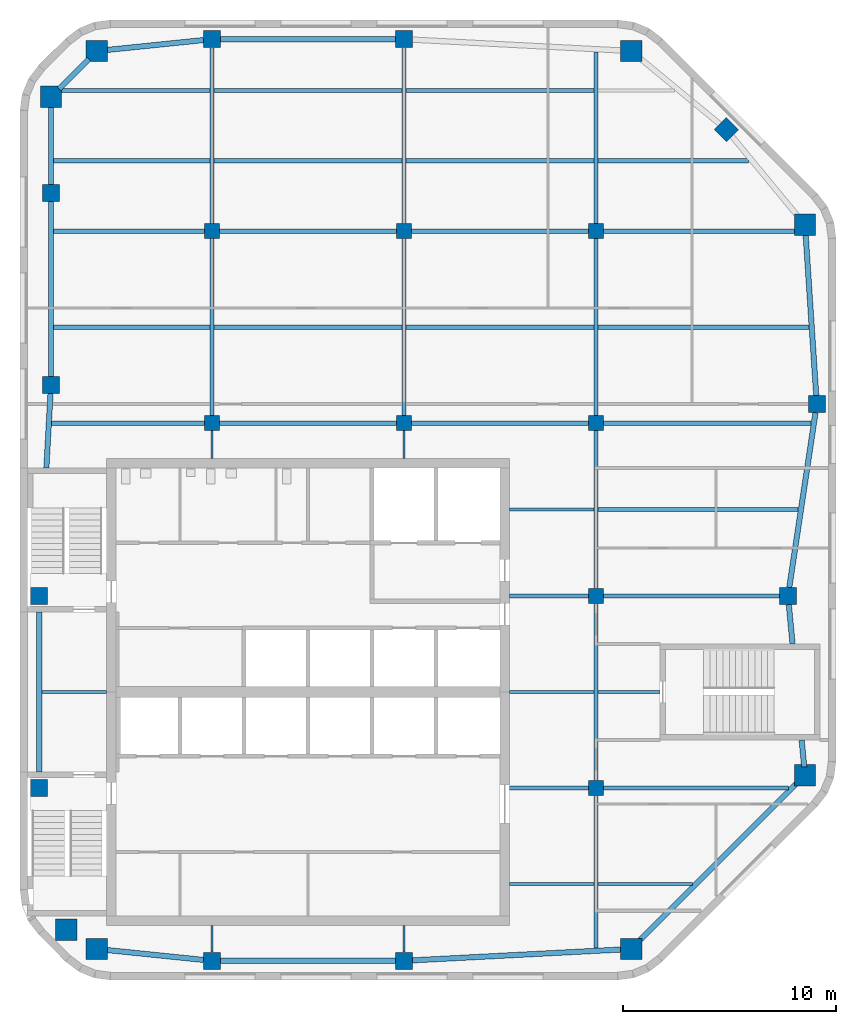
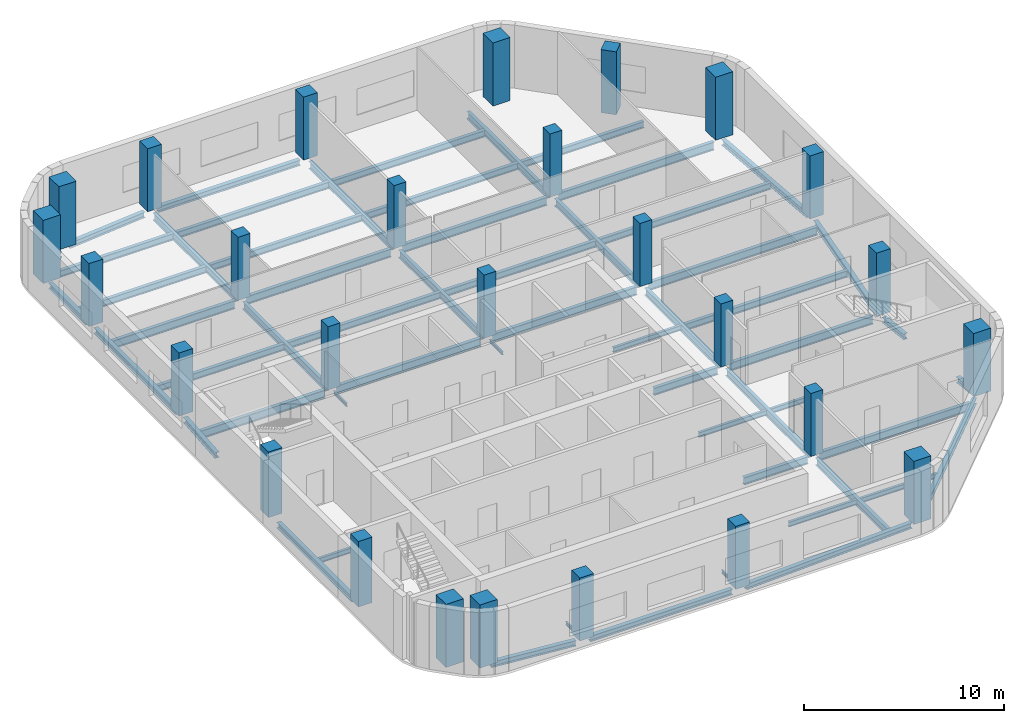
# One storey, part 1 of 7: 58 beams, 27 columns.
"""IFC4 building model written with IfcOpenShell, lengths in metres."""

from ifc_helpers import new_model, si_unit, direction, frame, origin, origin_2d, place, context, subcontext, project, spatial, rectangle, i_section, extrude, material, material_profile, profile_set, type_object, element, save


model = new_model("IFC4")

# Units and contexts
model_context = context("Model", 3, precision=1e-05, world=origin(), true_north=direction((0.0, 1.0)))
body_context = subcontext(model_context, "Body", "Model", "MODEL_VIEW")
ifc_project = project(units=[si_unit("LENGTHUNIT", "METRE"), si_unit("AREAUNIT", "SQUARE_METRE"), si_unit("VOLUMEUNIT", "CUBIC_METRE"), si_unit("PLANEANGLEUNIT", "RADIAN"), si_unit("MASSUNIT", "GRAM", prefix="KILO")], contexts=[model_context])

# Site, building, storey
site_placement = place(None, origin())
site = spatial("IfcSite", under=ifc_project, at=site_placement, CompositionType="ELEMENT")
building_placement = place(site_placement, origin())
building = spatial("IfcBuilding", under=site, at=building_placement, Name="Cinnabar Reach Civic Tower", CompositionType="ELEMENT")
storey_placement = place(building_placement, frame((0.0, 0.0, 267.0)))
storey = spatial("IfcBuildingStorey", under=building, at=storey_placement, Name="L64", CompositionType="ELEMENT", Elevation=267.0)

# Columns
ifc_material_1 = material(Name="Concrete C70", Category="concrete")
ifc_material_profile_1 = material_profile(ifc_material_1, rectangle(XDim=1.0, YDim=1.0, at=origin_2d()), Name="RC1000")
ifc_profile_set_1 = profile_set([ifc_material_profile_1], Name="Concrete C70")
column_type_1 = type_object("IfcColumnType", Name="RC1000 column R 240", PredefinedType="COLUMN", material=ifc_profile_set_1)
for number, where, z_axis, x_axis, name in (
    (1, (3.6019, 19.4531, 0.0), (0.0, 0.0, 1.0), (1.0, 0.0, 0.0), "Column T1-Z5-CC0"),
    (2, (28.6481, 19.4531, 0.0), (0.0, 0.0, 1.0), (1.0, 0.0, 0.0), "Column T1-Z5-CC1"),
    (3, (36.7969, 27.6019, 0.0), (0.0, 0.0, 1.0), (1.0, 0.0, 0.0), "Column T1-Z5-CC2"),
    (4, (36.7969, 53.3981, 0.0), (0.0, 0.0, 1.0), (1.0, 0.0, 0.0), "Column T1-Z5-CC3"),
    (5, (28.6481, 61.5469, 0.0), (0.0, 0.0, 1.0), (1.0, 0.0, 0.0), "Column T1-Z5-CC4"),
    (6, (3.6019, 61.5469, 0.0), (0.0, 0.0, 1.0), (1.0, 0.0, 0.0), "Column T1-Z5-CC5"),
    (7, (1.4531, 59.3981, 0.0), (0.0, 0.0, 1.0), (1.0, 0.0, 0.0), "Column T1-Z5-CC6"),
    (8, (2.1631, 20.35, 0.0), (0.0, 0.0, 1.0), (1.0, 0.0, 0.0), "Column T1-Z5-CC7"),
):
    element("IfcColumn", number, at=place(storey_placement, frame(where, z_axis=z_axis, x_axis=x_axis)), inside=storey, type_object=column_type_1, Name=name, PredefinedType="COLUMN", context=body_context, shape_type="SweptSolid", body=[
        extrude(rectangle(XDim=1.0, YDim=1.0, at=origin_2d()), origin(), (0.0, 0.0, 1.0), 3.85),
    ])
ifc_material_2 = material(Name="Concrete C60", Category="concrete")
ifc_material_profile_2 = material_profile(ifc_material_2, rectangle(XDim=0.7, YDim=0.7, at=origin_2d()), Name="RC700")
ifc_profile_set_2 = profile_set([ifc_material_profile_2], Name="Concrete C60")
column_type_2 = type_object("IfcColumnType", Name="RC700 column R 240", PredefinedType="COLUMN", material=ifc_profile_set_2)
for number, where, z_axis, x_axis, name in (
    (9, (9.0, 44.1, 0.0), (0.0, 0.0, 1.0), (1.0, 0.0, 0.0), "Column T1-Z5-I9_45"),
    (10, (9.0, 53.1, 0.0), (0.0, 0.0, 1.0), (1.0, 0.0, 0.0), "Column T1-Z5-I9_54"),
    (11, (18.0, 44.1, 0.0), (0.0, 0.0, 1.0), (1.0, 0.0, 0.0), "Column T1-Z5-I18_45"),
    (12, (18.0, 53.1, 0.0), (0.0, 0.0, 1.0), (1.0, 0.0, 0.0), "Column T1-Z5-I18_54"),
    (13, (27.0, 27.0, 0.0), (0.0, 0.0, 1.0), (1.0, 0.0, 0.0), "Column T1-Z5-I27_27"),
    (14, (27.0, 36.0, 0.0), (0.0, 0.0, 1.0), (1.0, 0.0, 0.0), "Column T1-Z5-I27_36"),
    (15, (27.0, 44.1, 0.0), (0.0, 0.0, 1.0), (1.0, 0.0, 0.0), "Column T1-Z5-I27_45"),
    (16, (27.0, 53.1, 0.0), (0.0, 0.0, 1.0), (1.0, 0.0, 0.0), "Column T1-Z5-I27_54"),
):
    element("IfcColumn", number, at=place(storey_placement, frame(where, z_axis=z_axis, x_axis=x_axis)), inside=storey, type_object=column_type_2, Name=name, PredefinedType="COLUMN", context=body_context, shape_type="SweptSolid", body=[
        extrude(rectangle(XDim=0.7, YDim=0.7, at=origin_2d()), origin(), (0.0, 0.0, 1.0), 3.85),
    ])
ifc_material_profile_3 = material_profile(ifc_material_2, rectangle(XDim=0.8, YDim=0.8, at=origin_2d()), Name="RC800")
ifc_profile_set_3 = profile_set([ifc_material_profile_3], Name="Concrete C60")
column_type_3 = type_object("IfcColumnType", Name="RC800 column R 240", PredefinedType="COLUMN", material=ifc_profile_set_3)
for number, where, z_axis, x_axis, name in (
    (17, (9.0, 18.9, 0.0), (0.0, 0.0, 1.0), (1.0, 0.0, 0.0), "Column T1-Z5-F0-1"),
    (18, (18.0, 18.9, 0.0), (0.0, 0.0, 1.0), (1.0, 0.0, 0.0), "Column T1-Z5-F0-2"),
    (19, (36.0, 36.0, 0.0), (0.0, 0.0, 1.0), (1.0, 0.0, 0.0), "Column T1-Z5-F2-4"),
    (20, (37.35, 45.0, 0.0), (0.0, 0.0, 1.0), (1.0, 0.0, 0.0), "Column T1-Z5-F2-5"),
    (21, (33.1136, 57.8636, 0.0), (0.0, 0.0, 1.0), (0.707106781187, 0.707106781187, 0.0), "Column T1-Z5-F3-M"),
    (22, (9.0, 62.1, 0.0), (0.0, 0.0, 1.0), (1.0, 0.0, 0.0), "Column T1-Z5-F4-1"),
    (23, (18.0, 62.1, 0.0), (0.0, 0.0, 1.0), (1.0, 0.0, 0.0), "Column T1-Z5-F4-2"),
):
    element("IfcColumn", number, at=place(storey_placement, frame(where, z_axis=z_axis, x_axis=x_axis)), inside=storey, type_object=column_type_3, Name=name, PredefinedType="COLUMN", context=body_context, shape_type="SweptSolid", body=[
        extrude(rectangle(XDim=0.8, YDim=0.8, at=origin_2d()), origin(), (0.0, 0.0, 1.0), 3.85),
    ])
for number, where, z_axis, x_axis, name in (
    (24, (0.9, 27.0, 0.0), (0.0, 0.0, 1.0), (1.0, 0.0, 0.0), "Column T1-Z5-F6-3"),
    (25, (0.9, 36.0, 0.0), (0.0, 0.0, 1.0), (1.0, 0.0, 0.0), "Column T1-Z5-F6-4"),
):
    element("IfcColumn", number, at=place(storey_placement, frame(where, z_axis=z_axis, x_axis=x_axis)), inside=storey, type_object=column_type_3, Name=name, PredefinedType="COLUMN", context=body_context, shape_type="SweptSolid", body=[
        extrude(rectangle(XDim=0.8, YDim=0.8, at=origin_2d()), origin(), (0.0, 0.0, 1.0), 4.0),
    ])
for number, where, z_axis, x_axis, name in (
    (26, (1.4531, 45.8981, 0.0), (0.0, 0.0, 1.0), (1.0, 0.0, 0.0), "Column T1-Z5-F6-5"),
    (27, (1.4531, 54.8981, 0.0), (0.0, 0.0, 1.0), (1.0, 0.0, 0.0), "Column T1-Z5-F6-6"),
):
    element("IfcColumn", number, at=place(storey_placement, frame(where, z_axis=z_axis, x_axis=x_axis)), inside=storey, type_object=column_type_3, Name=name, PredefinedType="COLUMN", context=body_context, shape_type="SweptSolid", body=[
        extrude(rectangle(XDim=0.8, YDim=0.8, at=origin_2d()), origin(), (0.0, 0.0, 1.0), 3.85),
    ])

# Beams
ifc_material_3 = material(Name="Steel Q355B", Category="steel")
ifc_material_profile_4 = material_profile(ifc_material_3, i_section(OverallWidth=0.25, OverallDepth=0.34, WebThickness=0.009, FlangeThickness=0.014, FilletRadius=0.013, at=origin_2d()), Name="HM340x250x9x14")
ifc_profile_set_4 = profile_set([ifc_material_profile_4], Name="Steel Q355B")
beam_type_1 = type_object("IfcBeamType", Name="HM340x250x9x14 beam R 180", PredefinedType="BEAM", material=ifc_profile_set_4)
beam_1_placement = place(storey_placement, frame((3.9839, 19.414, -0.32), z_axis=(0.994791084875, -0.101934770579, 0.0), x_axis=(0.101934770579, 0.994791084875, 0.0)))
element("IfcBeam", 28, at=beam_1_placement, inside=storey, type_object=beam_type_1, Name="Edge beam T1 L64 1", PredefinedType="BEAM", context=body_context, shape_type="SweptSolid", body=[
    extrude(i_section(OverallWidth=0.25, OverallDepth=0.34, WebThickness=0.009, FlangeThickness=0.014, FilletRadius=0.013, at=origin_2d()), origin(), (0.0, 0.0, 1.0), 4.6383),
])
beam_2_placement = place(storey_placement, frame((9.402, 18.9, -0.32), z_axis=(1.0, 0.0, 0.0), x_axis=(0.0, 1.0, 0.0)))
element("IfcBeam", 29, at=beam_2_placement, inside=storey, type_object=beam_type_1, Name="Edge beam T1 L64 2", PredefinedType="BEAM", context=body_context, shape_type="SweptSolid", body=[
    extrude(i_section(OverallWidth=0.25, OverallDepth=0.34, WebThickness=0.009, FlangeThickness=0.014, FilletRadius=0.013, at=origin_2d()), origin(), (0.0, 0.0, 1.0), 8.196),
])
beam_3_placement = place(storey_placement, frame((18.402, 18.9209, -0.32), z_axis=(0.998653533726, 0.051876001934, 0.0), x_axis=(-0.051876001934, 0.998653533726, 0.0)))
element("IfcBeam", 30, at=beam_3_placement, inside=storey, type_object=beam_type_1, Name="Edge beam T1 L64 3", PredefinedType="BEAM", context=body_context, shape_type="SweptSolid", body=[
    extrude(i_section(OverallWidth=0.25, OverallDepth=0.34, WebThickness=0.009, FlangeThickness=0.014, FilletRadius=0.013, at=origin_2d()), origin(), (0.0, 0.0, 1.0), 9.8774),
])
beam_4_placement = place(storey_placement, frame((29.0301, 19.8351, -0.32), z_axis=(0.707106781187, 0.707106781187, 0.0), x_axis=(-0.707106781187, 0.707106781187, 0.0)))
element("IfcBeam", 31, at=beam_4_placement, inside=storey, type_object=beam_type_1, Name="Edge beam T1 L64 4", PredefinedType="BEAM", context=body_context, shape_type="SweptSolid", body=[
    extrude(i_section(OverallWidth=0.25, OverallDepth=0.34, WebThickness=0.009, FlangeThickness=0.014, FilletRadius=0.013, at=origin_2d()), origin(), (0.0, 0.0, 1.0), 10.4437),
])
beam_5_placement = place(storey_placement, frame((36.7607, 27.9839, -0.32), z_axis=(-0.094504338241, 0.995524449752, 0.0), x_axis=(-0.995524449752, -0.094504338241, 0.0)))
element("IfcBeam", 32, at=beam_5_placement, inside=storey, type_object=beam_type_1, Name="Edge beam T1 L64 5", PredefinedType="BEAM", context=body_context, shape_type="SweptSolid", body=[
    extrude(i_section(OverallWidth=0.25, OverallDepth=0.34, WebThickness=0.009, FlangeThickness=0.014, FilletRadius=0.013, at=origin_2d()), origin(), (0.0, 0.0, 1.0), 1.2698),
])
beam_6_placement = place(storey_placement, frame((36.2133, 33.752, -0.32), z_axis=(-0.094483333102, 0.995526443529, 0.0), x_axis=(-0.995526443529, -0.094483333102, 0.0)))
element("IfcBeam", 33, at=beam_6_placement, inside=storey, type_object=beam_type_1, Name="Edge beam T1 L64 6", PredefinedType="BEAM", context=body_context, shape_type="SweptSolid", body=[
    extrude(i_section(OverallWidth=0.25, OverallDepth=0.34, WebThickness=0.009, FlangeThickness=0.014, FilletRadius=0.013, at=origin_2d()), origin(), (0.0, 0.0, 1.0), 1.8543),
])
beam_7_placement = place(storey_placement, frame((36.0603, 36.402, -0.32), z_axis=(0.14834045293, 0.988936352868, 0.0), x_axis=(-0.988936352868, 0.14834045293, 0.0)))
element("IfcBeam", 34, at=beam_7_placement, inside=storey, type_object=beam_type_1, Name="Edge beam T1 L64 7", PredefinedType="BEAM", context=body_context, shape_type="SweptSolid", body=[
    extrude(i_section(OverallWidth=0.25, OverallDepth=0.34, WebThickness=0.009, FlangeThickness=0.014, FilletRadius=0.013, at=origin_2d()), origin(), (0.0, 0.0, 1.0), 8.2877),
])
beam_8_placement = place(storey_placement, frame((37.3235, 45.402, -0.32), z_axis=(-0.065709195057, 0.997838815483, 0.0), x_axis=(-0.997838815483, -0.065709195057, 0.0)))
element("IfcBeam", 35, at=beam_8_placement, inside=storey, type_object=beam_type_1, Name="Edge beam T1 L64 8", PredefinedType="BEAM", context=body_context, shape_type="SweptSolid", body=[
    extrude(i_section(OverallWidth=0.25, OverallDepth=0.34, WebThickness=0.009, FlangeThickness=0.014, FilletRadius=0.013, at=origin_2d()), origin(), (0.0, 0.0, 1.0), 7.6306),
])
beam_9_placement = place(storey_placement, frame((17.598, 62.1, -0.32), z_axis=(-1.0, 0.0, 0.0), x_axis=(0.0, -1.0, 0.0)))
element("IfcBeam", 36, at=beam_9_placement, inside=storey, type_object=beam_type_1, Name="Edge beam T1 L64 12", PredefinedType="BEAM", context=body_context, shape_type="SweptSolid", body=[
    extrude(i_section(OverallWidth=0.25, OverallDepth=0.34, WebThickness=0.009, FlangeThickness=0.014, FilletRadius=0.013, at=origin_2d()), origin(), (0.0, 0.0, 1.0), 8.196),
])
beam_10_placement = place(storey_placement, frame((8.598, 62.0588, -0.32), z_axis=(-0.994791084875, -0.101934770579, 0.0), x_axis=(0.101934770579, -0.994791084875, 0.0)))
element("IfcBeam", 37, at=beam_10_placement, inside=storey, type_object=beam_type_1, Name="Edge beam T1 L64 13", PredefinedType="BEAM", context=body_context, shape_type="SweptSolid", body=[
    extrude(i_section(OverallWidth=0.25, OverallDepth=0.34, WebThickness=0.009, FlangeThickness=0.014, FilletRadius=0.013, at=origin_2d()), origin(), (0.0, 0.0, 1.0), 4.6383),
])
beam_11_placement = place(storey_placement, frame((3.2199, 61.1649, -0.32), z_axis=(-0.707106781187, -0.707106781187, 0.0), x_axis=(0.707106781187, -0.707106781187, 0.0)))
element("IfcBeam", 38, at=beam_11_placement, inside=storey, type_object=beam_type_1, Name="Edge beam T1 L64 14", PredefinedType="BEAM", context=body_context, shape_type="SweptSolid", body=[
    extrude(i_section(OverallWidth=0.25, OverallDepth=0.34, WebThickness=0.009, FlangeThickness=0.014, FilletRadius=0.013, at=origin_2d()), origin(), (0.0, 0.0, 1.0), 1.9584),
])
beam_12_placement = place(storey_placement, frame((1.4531, 59.0161, -0.32), z_axis=(0.0, -1.0, 0.0), x_axis=(1.0, 0.0, 0.0)))
element("IfcBeam", 39, at=beam_12_placement, inside=storey, type_object=beam_type_1, Name="Edge beam T1 L64 15", PredefinedType="BEAM", context=body_context, shape_type="SweptSolid", body=[
    extrude(i_section(OverallWidth=0.25, OverallDepth=0.34, WebThickness=0.009, FlangeThickness=0.014, FilletRadius=0.013, at=origin_2d()), origin(), (0.0, 0.0, 1.0), 3.716),
])
beam_13_placement = place(storey_placement, frame((1.4531, 54.4961, -0.32), z_axis=(0.0, -1.0, 0.0), x_axis=(1.0, 0.0, 0.0)))
element("IfcBeam", 40, at=beam_13_placement, inside=storey, type_object=beam_type_1, Name="Edge beam T1 L64 16", PredefinedType="BEAM", context=body_context, shape_type="SweptSolid", body=[
    extrude(i_section(OverallWidth=0.25, OverallDepth=0.34, WebThickness=0.009, FlangeThickness=0.014, FilletRadius=0.013, at=origin_2d()), origin(), (0.0, 0.0, 1.0), 8.196),
])
beam_14_placement = place(storey_placement, frame((1.4306, 45.4961, -0.32), z_axis=(-0.055778628236, -0.998443160441, 0.0), x_axis=(0.998443160441, -0.055778628236, 0.0)))
element("IfcBeam", 41, at=beam_14_placement, inside=storey, type_object=beam_type_1, Name="Edge beam T1 L64 17", PredefinedType="BEAM", context=body_context, shape_type="SweptSolid", body=[
    extrude(i_section(OverallWidth=0.25, OverallDepth=0.34, WebThickness=0.009, FlangeThickness=0.014, FilletRadius=0.013, at=origin_2d()), origin(), (0.0, 0.0, 1.0), 3.4995),
])
beam_15_placement = place(storey_placement, frame((0.9, 35.248, -0.32), z_axis=(0.0, -1.0, 0.0), x_axis=(1.0, 0.0, 0.0)))
element("IfcBeam", 42, at=beam_15_placement, inside=storey, type_object=beam_type_1, Name="Edge beam T1 L64 18", PredefinedType="BEAM", context=body_context, shape_type="SweptSolid", body=[
    extrude(i_section(OverallWidth=0.25, OverallDepth=0.34, WebThickness=0.009, FlangeThickness=0.014, FilletRadius=0.013, at=origin_2d()), origin(), (0.0, 0.0, 1.0), 7.496),
])
ifc_material_profile_5 = material_profile(ifc_material_3, i_section(OverallWidth=0.099, OverallDepth=0.198, WebThickness=0.0045, FlangeThickness=0.007, FilletRadius=0.013, at=origin_2d()), Name="HN200x100x5.5x8")
ifc_profile_set_5 = profile_set([ifc_material_profile_5], Name="Steel Q355B")
beam_type_2 = type_object("IfcBeamType", Name="HN200x100x5.5x8 beam R 180", PredefinedType="BEAM", material=ifc_profile_set_5)
beam_16_placement = place(storey_placement, frame((9.0, 19.302, -0.249), z_axis=(0.0, 1.0, 0.0), x_axis=(-1.0, 0.0, 0.0)))
element("IfcBeam", 43, at=beam_16_placement, inside=storey, type_object=beam_type_2, Name="Girder T1 L64 1", PredefinedType="BEAM", context=body_context, shape_type="SweptSolid", body=[
    extrude(i_section(OverallWidth=0.099, OverallDepth=0.198, WebThickness=0.0045, FlangeThickness=0.007, FilletRadius=0.013, at=origin_2d()), origin(), (0.0, 0.0, 1.0), 1.246),
])
beam_17_placement = place(storey_placement, frame((9.0, 42.452, -0.249), z_axis=(0.0, 1.0, 0.0), x_axis=(-1.0, 0.0, 0.0)))
element("IfcBeam", 44, at=beam_17_placement, inside=storey, type_object=beam_type_2, Name="Girder T1 L64 2", PredefinedType="BEAM", context=body_context, shape_type="SweptSolid", body=[
    extrude(i_section(OverallWidth=0.099, OverallDepth=0.198, WebThickness=0.0045, FlangeThickness=0.007, FilletRadius=0.013, at=origin_2d()), origin(), (0.0, 0.0, 1.0), 1.296),
])
beam_18_placement = place(storey_placement, frame((18.0, 19.302, -0.249), z_axis=(0.0, 1.0, 0.0), x_axis=(-1.0, 0.0, 0.0)))
element("IfcBeam", 45, at=beam_18_placement, inside=storey, type_object=beam_type_2, Name="Girder T1 L64 5", PredefinedType="BEAM", context=body_context, shape_type="SweptSolid", body=[
    extrude(i_section(OverallWidth=0.099, OverallDepth=0.198, WebThickness=0.0045, FlangeThickness=0.007, FilletRadius=0.013, at=origin_2d()), origin(), (0.0, 0.0, 1.0), 1.246),
])
beam_19_placement = place(storey_placement, frame((18.0, 42.452, -0.249), z_axis=(0.0, 1.0, 0.0), x_axis=(-1.0, 0.0, 0.0)))
element("IfcBeam", 46, at=beam_19_placement, inside=storey, type_object=beam_type_2, Name="Girder T1 L64 6", PredefinedType="BEAM", context=body_context, shape_type="SweptSolid", body=[
    extrude(i_section(OverallWidth=0.099, OverallDepth=0.198, WebThickness=0.0045, FlangeThickness=0.007, FilletRadius=0.013, at=origin_2d()), origin(), (0.0, 0.0, 1.0), 1.296),
])
ifc_material_profile_6 = material_profile(ifc_material_3, i_section(OverallWidth=0.15, OverallDepth=0.3, WebThickness=0.0065, FlangeThickness=0.009, FilletRadius=0.013, at=origin_2d()), Name="HN300x150x6.5x9")
ifc_profile_set_6 = profile_set([ifc_material_profile_6], Name="Steel Q355B")
beam_type_3 = type_object("IfcBeamType", Name="HN300x150x6.5x9 beam R 180", PredefinedType="BEAM", material=ifc_profile_set_6)
beam_20_placement = place(storey_placement, frame((22.952, 22.5, -0.3), z_axis=(1.0, 0.0, 0.0), x_axis=(0.0, 1.0, 0.0)))
element("IfcBeam", 47, at=beam_20_placement, inside=storey, type_object=beam_type_3, Name="Secondary beam T1 L64 1", PredefinedType="BEAM", context=body_context, shape_type="SweptSolid", body=[
    extrude(i_section(OverallWidth=0.15, OverallDepth=0.3, WebThickness=0.0065, FlangeThickness=0.009, FilletRadius=0.013, at=origin_2d()), origin(), (0.0, 0.0, 1.0), 3.946),
])
beam_21_placement = place(storey_placement, frame((27.102, 22.5, -0.3), z_axis=(1.0, 0.0, 0.0), x_axis=(0.0, 1.0, 0.0)))
element("IfcBeam", 48, at=beam_21_placement, inside=storey, type_object=beam_type_3, Name="Secondary beam T1 L64 2", PredefinedType="BEAM", context=body_context, shape_type="SweptSolid", body=[
    extrude(i_section(OverallWidth=0.15, OverallDepth=0.3, WebThickness=0.0065, FlangeThickness=0.009, FilletRadius=0.013, at=origin_2d()), origin(), (0.0, 0.0, 1.0), 4.4134),
])
beam_22_placement = place(storey_placement, frame((1.027, 31.5, -0.3), z_axis=(1.0, 0.0, 0.0), x_axis=(0.0, 1.0, 0.0)))
element("IfcBeam", 49, at=beam_22_placement, inside=storey, type_object=beam_type_3, Name="Secondary beam T1 L64 3", PredefinedType="BEAM", context=body_context, shape_type="SweptSolid", body=[
    extrude(i_section(OverallWidth=0.15, OverallDepth=0.3, WebThickness=0.0065, FlangeThickness=0.009, FilletRadius=0.013, at=origin_2d()), origin(), (0.0, 0.0, 1.0), 3.021),
])
beam_23_placement = place(storey_placement, frame((22.952, 31.5, -0.3), z_axis=(1.0, 0.0, 0.0), x_axis=(0.0, 1.0, 0.0)))
element("IfcBeam", 50, at=beam_23_placement, inside=storey, type_object=beam_type_3, Name="Secondary beam T1 L64 4", PredefinedType="BEAM", context=body_context, shape_type="SweptSolid", body=[
    extrude(i_section(OverallWidth=0.15, OverallDepth=0.3, WebThickness=0.0065, FlangeThickness=0.009, FilletRadius=0.013, at=origin_2d()), origin(), (0.0, 0.0, 1.0), 3.946),
])
beam_24_placement = place(storey_placement, frame((27.102, 31.5, -0.3), z_axis=(1.0, 0.0, 0.0), x_axis=(0.0, 1.0, 0.0)))
element("IfcBeam", 51, at=beam_24_placement, inside=storey, type_object=beam_type_3, Name="Secondary beam T1 L64 5", PredefinedType="BEAM", context=body_context, shape_type="SweptSolid", body=[
    extrude(i_section(OverallWidth=0.15, OverallDepth=0.3, WebThickness=0.0065, FlangeThickness=0.009, FilletRadius=0.013, at=origin_2d()), origin(), (0.0, 0.0, 1.0), 2.896),
])
beam_25_placement = place(storey_placement, frame((22.952, 40.05, -0.3), z_axis=(1.0, 0.0, 0.0), x_axis=(0.0, 1.0, 0.0)))
element("IfcBeam", 52, at=beam_25_placement, inside=storey, type_object=beam_type_3, Name="Secondary beam T1 L64 6", PredefinedType="BEAM", context=body_context, shape_type="SweptSolid", body=[
    extrude(i_section(OverallWidth=0.15, OverallDepth=0.3, WebThickness=0.0065, FlangeThickness=0.009, FilletRadius=0.013, at=origin_2d()), origin(), (0.0, 0.0, 1.0), 3.946),
])
ifc_material_profile_7 = material_profile(ifc_material_3, i_section(OverallWidth=0.2, OverallDepth=0.4, WebThickness=0.008, FlangeThickness=0.013, FilletRadius=0.016, at=origin_2d()), Name="HN400x200x8x13")
ifc_profile_set_7 = profile_set([ifc_material_profile_7], Name="Steel Q355B")
beam_type_4 = type_object("IfcBeamType", Name="HN400x200x8x13 beam R 180", PredefinedType="BEAM", material=ifc_profile_set_7)
beam_26_placement = place(storey_placement, frame((27.102, 40.05, -0.35), z_axis=(1.0, 0.0, 0.0), x_axis=(0.0, 1.0, 0.0)))
element("IfcBeam", 53, at=beam_26_placement, inside=storey, type_object=beam_type_4, Name="Secondary beam T1 L64 7", PredefinedType="BEAM", context=body_context, shape_type="SweptSolid", body=[
    extrude(i_section(OverallWidth=0.2, OverallDepth=0.4, WebThickness=0.008, FlangeThickness=0.013, FilletRadius=0.016, at=origin_2d()), origin(), (0.0, 0.0, 1.0), 9.3771),
])
beam_27_placement = place(storey_placement, frame((1.5801, 48.6, -0.35), z_axis=(1.0, 0.0, 0.0), x_axis=(0.0, 1.0, 0.0)))
element("IfcBeam", 54, at=beam_27_placement, inside=storey, type_object=beam_type_4, Name="Secondary beam T1 L64 8", PredefinedType="BEAM", context=body_context, shape_type="SweptSolid", body=[
    extrude(i_section(OverallWidth=0.2, OverallDepth=0.4, WebThickness=0.008, FlangeThickness=0.013, FilletRadius=0.016, at=origin_2d()), origin(), (0.0, 0.0, 1.0), 7.3179),
])
for number, where, z_axis, x_axis, name in (
    (55, (9.102, 48.6, -0.35), (1.0, 0.0, 0.0), (0.0, 1.0, 0.0), "Secondary beam T1 L64 9"),
    (56, (18.102, 48.6, -0.35), (1.0, 0.0, 0.0), (0.0, 1.0, 0.0), "Secondary beam T1 L64 10"),
):
    element("IfcBeam", number, at=place(storey_placement, frame(where, z_axis=z_axis, x_axis=x_axis)), inside=storey, type_object=beam_type_4, Name=name, PredefinedType="BEAM", context=body_context, shape_type="SweptSolid", body=[
        extrude(i_section(OverallWidth=0.2, OverallDepth=0.4, WebThickness=0.008, FlangeThickness=0.013, FilletRadius=0.016, at=origin_2d()), origin(), (0.0, 0.0, 1.0), 8.796),
    ])
beam_28_placement = place(storey_placement, frame((27.102, 48.6, -0.35), z_axis=(1.0, 0.0, 0.0), x_axis=(0.0, 1.0, 0.0)))
element("IfcBeam", 57, at=beam_28_placement, inside=storey, type_object=beam_type_4, Name="Secondary beam T1 L64 11", PredefinedType="BEAM", context=body_context, shape_type="SweptSolid", body=[
    extrude(i_section(OverallWidth=0.2, OverallDepth=0.4, WebThickness=0.008, FlangeThickness=0.013, FilletRadius=0.016, at=origin_2d()), origin(), (0.0, 0.0, 1.0), 9.8836),
])
beam_29_placement = place(storey_placement, frame((1.5801, 56.4, -0.35), z_axis=(1.0, 0.0, 0.0), x_axis=(0.0, 1.0, 0.0)))
element("IfcBeam", 58, at=beam_29_placement, inside=storey, type_object=beam_type_4, Name="Secondary beam T1 L64 12", PredefinedType="BEAM", context=body_context, shape_type="SweptSolid", body=[
    extrude(i_section(OverallWidth=0.2, OverallDepth=0.4, WebThickness=0.008, FlangeThickness=0.013, FilletRadius=0.016, at=origin_2d()), origin(), (0.0, 0.0, 1.0), 7.3179),
])
for number, where, z_axis, x_axis, name in (
    (59, (9.102, 56.4, -0.35), (1.0, 0.0, 0.0), (0.0, 1.0, 0.0), "Secondary beam T1 L64 13"),
    (60, (18.102, 56.4, -0.35), (1.0, 0.0, 0.0), (0.0, 1.0, 0.0), "Secondary beam T1 L64 14"),
):
    element("IfcBeam", number, at=place(storey_placement, frame(where, z_axis=z_axis, x_axis=x_axis)), inside=storey, type_object=beam_type_4, Name=name, PredefinedType="BEAM", context=body_context, shape_type="SweptSolid", body=[
        extrude(i_section(OverallWidth=0.2, OverallDepth=0.4, WebThickness=0.008, FlangeThickness=0.013, FilletRadius=0.016, at=origin_2d()), origin(), (0.0, 0.0, 1.0), 8.796),
    ])
beam_30_placement = place(storey_placement, frame((27.102, 56.4, -0.35), z_axis=(1.0, 0.0, 0.0), x_axis=(0.0, 1.0, 0.0)))
element("IfcBeam", 61, at=beam_30_placement, inside=storey, type_object=beam_type_4, Name="Secondary beam T1 L64 15", PredefinedType="BEAM", context=body_context, shape_type="SweptSolid", body=[
    extrude(i_section(OverallWidth=0.2, OverallDepth=0.4, WebThickness=0.008, FlangeThickness=0.013, FilletRadius=0.016, at=origin_2d()), origin(), (0.0, 0.0, 1.0), 7.0542),
])
beam_31_placement = place(storey_placement, frame((1.9551, 59.7, -0.35), z_axis=(1.0, 0.0, 0.0), x_axis=(0.0, 1.0, 0.0)))
element("IfcBeam", 62, at=beam_31_placement, inside=storey, type_object=beam_type_4, Name="Secondary beam T1 L64 16", PredefinedType="BEAM", context=body_context, shape_type="SweptSolid", body=[
    extrude(i_section(OverallWidth=0.2, OverallDepth=0.4, WebThickness=0.008, FlangeThickness=0.013, FilletRadius=0.016, at=origin_2d()), origin(), (0.0, 0.0, 1.0), 6.9429),
])
for number, where, z_axis, x_axis, name in (
    (63, (9.102, 59.7, -0.35), (1.0, 0.0, 0.0), (0.0, 1.0, 0.0), "Secondary beam T1 L64 17"),
    (64, (18.102, 59.7, -0.35), (1.0, 0.0, 0.0), (0.0, 1.0, 0.0), "Secondary beam T1 L64 18"),
):
    element("IfcBeam", number, at=place(storey_placement, frame(where, z_axis=z_axis, x_axis=x_axis)), inside=storey, type_object=beam_type_4, Name=name, PredefinedType="BEAM", context=body_context, shape_type="SweptSolid", body=[
        extrude(i_section(OverallWidth=0.2, OverallDepth=0.4, WebThickness=0.008, FlangeThickness=0.013, FilletRadius=0.016, at=origin_2d()), origin(), (0.0, 0.0, 1.0), 8.796),
    ])
ifc_material_profile_8 = material_profile(ifc_material_3, i_section(OverallWidth=0.2, OverallDepth=0.45, WebThickness=0.009, FlangeThickness=0.014, FilletRadius=0.016, at=origin_2d()), Name="HN450x200x9x14")
ifc_profile_set_8 = profile_set([ifc_material_profile_8], Name="Steel Q355B")
beam_type_5 = type_object("IfcBeamType", Name="HN450x200x9x14 beam R 180", PredefinedType="BEAM", material=ifc_profile_set_8)
for number, where, z_axis, x_axis, name in (
    (65, (22.952, 27.0, -0.375), (1.0, 0.0, 0.0), (0.0, 1.0, 0.0), "Girder T1 L64 1"),
    (66, (22.952, 36.0, -0.375), (1.0, 0.0, 0.0), (0.0, 1.0, 0.0), "Girder T1 L64 3"),
):
    element("IfcBeam", number, at=place(storey_placement, frame(where, z_axis=z_axis, x_axis=x_axis)), inside=storey, type_object=beam_type_5, Name=name, PredefinedType="BEAM", context=body_context, shape_type="SweptSolid", body=[
        extrude(i_section(OverallWidth=0.2, OverallDepth=0.45, WebThickness=0.009, FlangeThickness=0.014, FilletRadius=0.016, at=origin_2d()), origin(), (0.0, 0.0, 1.0), 3.696),
    ])
beam_32_placement = place(storey_placement, frame((9.0, 44.452, -0.375), z_axis=(0.0, 1.0, 0.0), x_axis=(-1.0, 0.0, 0.0)))
element("IfcBeam", 67, at=beam_32_placement, inside=storey, type_object=beam_type_5, Name="Girder T1 L64 3", PredefinedType="BEAM", context=body_context, shape_type="SweptSolid", body=[
    extrude(i_section(OverallWidth=0.2, OverallDepth=0.45, WebThickness=0.009, FlangeThickness=0.014, FilletRadius=0.016, at=origin_2d()), origin(), (0.0, 0.0, 1.0), 8.296),
])
beam_33_placement = place(storey_placement, frame((9.0, 53.452, -0.375), z_axis=(0.0, 1.0, 0.0), x_axis=(-1.0, 0.0, 0.0)))
element("IfcBeam", 68, at=beam_33_placement, inside=storey, type_object=beam_type_5, Name="Girder T1 L64 4", PredefinedType="BEAM", context=body_context, shape_type="SweptSolid", body=[
    extrude(i_section(OverallWidth=0.2, OverallDepth=0.45, WebThickness=0.009, FlangeThickness=0.014, FilletRadius=0.016, at=origin_2d()), origin(), (0.0, 0.0, 1.0), 8.246),
])
beam_34_placement = place(storey_placement, frame((18.0, 44.452, -0.375), z_axis=(0.0, 1.0, 0.0), x_axis=(-1.0, 0.0, 0.0)))
element("IfcBeam", 69, at=beam_34_placement, inside=storey, type_object=beam_type_5, Name="Girder T1 L64 7", PredefinedType="BEAM", context=body_context, shape_type="SweptSolid", body=[
    extrude(i_section(OverallWidth=0.2, OverallDepth=0.45, WebThickness=0.009, FlangeThickness=0.014, FilletRadius=0.016, at=origin_2d()), origin(), (0.0, 0.0, 1.0), 8.296),
])
beam_35_placement = place(storey_placement, frame((18.0, 53.452, -0.375), z_axis=(0.0, 1.0, 0.0), x_axis=(-1.0, 0.0, 0.0)))
element("IfcBeam", 70, at=beam_35_placement, inside=storey, type_object=beam_type_5, Name="Girder T1 L64 8", PredefinedType="BEAM", context=body_context, shape_type="SweptSolid", body=[
    extrude(i_section(OverallWidth=0.2, OverallDepth=0.45, WebThickness=0.009, FlangeThickness=0.014, FilletRadius=0.016, at=origin_2d()), origin(), (0.0, 0.0, 1.0), 8.246),
])
beam_36_placement = place(storey_placement, frame((27.0, 19.4947, -0.375), z_axis=(0.0, 1.0, 0.0), x_axis=(-1.0, 0.0, 0.0)))
element("IfcBeam", 71, at=beam_36_placement, inside=storey, type_object=beam_type_5, Name="Girder T1 L64 9", PredefinedType="BEAM", context=body_context, shape_type="SweptSolid", body=[
    extrude(i_section(OverallWidth=0.2, OverallDepth=0.45, WebThickness=0.009, FlangeThickness=0.014, FilletRadius=0.016, at=origin_2d()), origin(), (0.0, 0.0, 1.0), 7.1533),
])
beam_37_placement = place(storey_placement, frame((27.0, 27.352, -0.375), z_axis=(0.0, 1.0, 0.0), x_axis=(-1.0, 0.0, 0.0)))
element("IfcBeam", 72, at=beam_37_placement, inside=storey, type_object=beam_type_5, Name="Girder T1 L64 10", PredefinedType="BEAM", context=body_context, shape_type="SweptSolid", body=[
    extrude(i_section(OverallWidth=0.2, OverallDepth=0.45, WebThickness=0.009, FlangeThickness=0.014, FilletRadius=0.016, at=origin_2d()), origin(), (0.0, 0.0, 1.0), 8.296),
])
beam_38_placement = place(storey_placement, frame((27.0, 36.352, -0.375), z_axis=(0.0, 1.0, 0.0), x_axis=(-1.0, 0.0, 0.0)))
element("IfcBeam", 73, at=beam_38_placement, inside=storey, type_object=beam_type_5, Name="Girder T1 L64 11", PredefinedType="BEAM", context=body_context, shape_type="SweptSolid", body=[
    extrude(i_section(OverallWidth=0.2, OverallDepth=0.45, WebThickness=0.009, FlangeThickness=0.014, FilletRadius=0.016, at=origin_2d()), origin(), (0.0, 0.0, 1.0), 7.396),
])
beam_39_placement = place(storey_placement, frame((27.0, 44.452, -0.375), z_axis=(0.0, 1.0, 0.0), x_axis=(-1.0, 0.0, 0.0)))
element("IfcBeam", 74, at=beam_39_placement, inside=storey, type_object=beam_type_5, Name="Girder T1 L64 12", PredefinedType="BEAM", context=body_context, shape_type="SweptSolid", body=[
    extrude(i_section(OverallWidth=0.2, OverallDepth=0.45, WebThickness=0.009, FlangeThickness=0.014, FilletRadius=0.016, at=origin_2d()), origin(), (0.0, 0.0, 1.0), 8.296),
])
beam_40_placement = place(storey_placement, frame((27.0, 53.452, -0.375), z_axis=(0.0, 1.0, 0.0), x_axis=(-1.0, 0.0, 0.0)))
element("IfcBeam", 75, at=beam_40_placement, inside=storey, type_object=beam_type_5, Name="Girder T1 L64 13", PredefinedType="BEAM", context=body_context, shape_type="SweptSolid", body=[
    extrude(i_section(OverallWidth=0.2, OverallDepth=0.45, WebThickness=0.009, FlangeThickness=0.014, FilletRadius=0.016, at=origin_2d()), origin(), (0.0, 0.0, 1.0), 8.0533),
])
ifc_material_profile_9 = material_profile(ifc_material_3, i_section(OverallWidth=0.2, OverallDepth=0.5, WebThickness=0.01, FlangeThickness=0.016, FilletRadius=0.016, at=origin_2d()), Name="HN500x200x10x16")
ifc_profile_set_9 = profile_set([ifc_material_profile_9], Name="Steel Q355B")
beam_type_6 = type_object("IfcBeamType", Name="HN500x200x10x16 beam R 180", PredefinedType="BEAM", material=ifc_profile_set_9)
beam_41_placement = place(storey_placement, frame((27.352, 27.0, -0.4), z_axis=(1.0, 0.0, 0.0), x_axis=(0.0, 1.0, 0.0)))
element("IfcBeam", 76, at=beam_41_placement, inside=storey, type_object=beam_type_6, Name="Girder T1 L64 2", PredefinedType="BEAM", context=body_context, shape_type="SweptSolid", body=[
    extrude(i_section(OverallWidth=0.2, OverallDepth=0.5, WebThickness=0.01, FlangeThickness=0.016, FilletRadius=0.016, at=origin_2d()), origin(), (0.0, 0.0, 1.0), 8.6634),
])
beam_42_placement = place(storey_placement, frame((27.352, 36.0, -0.4), z_axis=(1.0, 0.0, 0.0), x_axis=(0.0, 1.0, 0.0)))
element("IfcBeam", 77, at=beam_42_placement, inside=storey, type_object=beam_type_6, Name="Girder T1 L64 4", PredefinedType="BEAM", context=body_context, shape_type="SweptSolid", body=[
    extrude(i_section(OverallWidth=0.2, OverallDepth=0.5, WebThickness=0.01, FlangeThickness=0.016, FilletRadius=0.016, at=origin_2d()), origin(), (0.0, 0.0, 1.0), 8.246),
])
beam_43_placement = place(storey_placement, frame((1.4798, 44.1, -0.4), z_axis=(1.0, 0.0, 0.0), x_axis=(0.0, 1.0, 0.0)))
element("IfcBeam", 78, at=beam_43_placement, inside=storey, type_object=beam_type_6, Name="Girder T1 L64 5", PredefinedType="BEAM", context=body_context, shape_type="SweptSolid", body=[
    extrude(i_section(OverallWidth=0.2, OverallDepth=0.5, WebThickness=0.01, FlangeThickness=0.016, FilletRadius=0.016, at=origin_2d()), origin(), (0.0, 0.0, 1.0), 7.1682),
])
for number, where, z_axis, x_axis, name in (
    (79, (9.352, 44.1, -0.4), (1.0, 0.0, 0.0), (0.0, 1.0, 0.0), "Girder T1 L64 6"),
    (80, (18.352, 44.1, -0.4), (1.0, 0.0, 0.0), (0.0, 1.0, 0.0), "Girder T1 L64 7"),
):
    element("IfcBeam", number, at=place(storey_placement, frame(where, z_axis=z_axis, x_axis=x_axis)), inside=storey, type_object=beam_type_6, Name=name, PredefinedType="BEAM", context=body_context, shape_type="SweptSolid", body=[
        extrude(i_section(OverallWidth=0.2, OverallDepth=0.5, WebThickness=0.01, FlangeThickness=0.016, FilletRadius=0.016, at=origin_2d()), origin(), (0.0, 0.0, 1.0), 8.296),
    ])
beam_44_placement = place(storey_placement, frame((27.352, 44.1, -0.4), z_axis=(1.0, 0.0, 0.0), x_axis=(0.0, 1.0, 0.0)))
element("IfcBeam", 81, at=beam_44_placement, inside=storey, type_object=beam_type_6, Name="Girder T1 L64 8", PredefinedType="BEAM", context=body_context, shape_type="SweptSolid", body=[
    extrude(i_section(OverallWidth=0.2, OverallDepth=0.5, WebThickness=0.01, FlangeThickness=0.016, FilletRadius=0.016, at=origin_2d()), origin(), (0.0, 0.0, 1.0), 9.7346),
])
beam_45_placement = place(storey_placement, frame((1.5801, 53.1, -0.4), z_axis=(1.0, 0.0, 0.0), x_axis=(0.0, 1.0, 0.0)))
element("IfcBeam", 82, at=beam_45_placement, inside=storey, type_object=beam_type_6, Name="Girder T1 L64 9", PredefinedType="BEAM", context=body_context, shape_type="SweptSolid", body=[
    extrude(i_section(OverallWidth=0.2, OverallDepth=0.5, WebThickness=0.01, FlangeThickness=0.016, FilletRadius=0.016, at=origin_2d()), origin(), (0.0, 0.0, 1.0), 7.0679),
])
for number, where, z_axis, x_axis, name in (
    (83, (9.352, 53.1, -0.4), (1.0, 0.0, 0.0), (0.0, 1.0, 0.0), "Girder T1 L64 10"),
    (84, (18.352, 53.1, -0.4), (1.0, 0.0, 0.0), (0.0, 1.0, 0.0), "Girder T1 L64 11"),
):
    element("IfcBeam", number, at=place(storey_placement, frame(where, z_axis=z_axis, x_axis=x_axis)), inside=storey, type_object=beam_type_6, Name=name, PredefinedType="BEAM", context=body_context, shape_type="SweptSolid", body=[
        extrude(i_section(OverallWidth=0.2, OverallDepth=0.5, WebThickness=0.01, FlangeThickness=0.016, FilletRadius=0.016, at=origin_2d()), origin(), (0.0, 0.0, 1.0), 8.296),
    ])
beam_46_placement = place(storey_placement, frame((27.352, 53.1, -0.4), z_axis=(1.0, 0.0, 0.0), x_axis=(0.0, 1.0, 0.0)))
element("IfcBeam", 85, at=beam_46_placement, inside=storey, type_object=beam_type_6, Name="Girder T1 L64 12", PredefinedType="BEAM", context=body_context, shape_type="SweptSolid", body=[
    extrude(i_section(OverallWidth=0.2, OverallDepth=0.5, WebThickness=0.01, FlangeThickness=0.016, FilletRadius=0.016, at=origin_2d()), origin(), (0.0, 0.0, 1.0), 8.9429),
])

save(model, "model.ifc")
